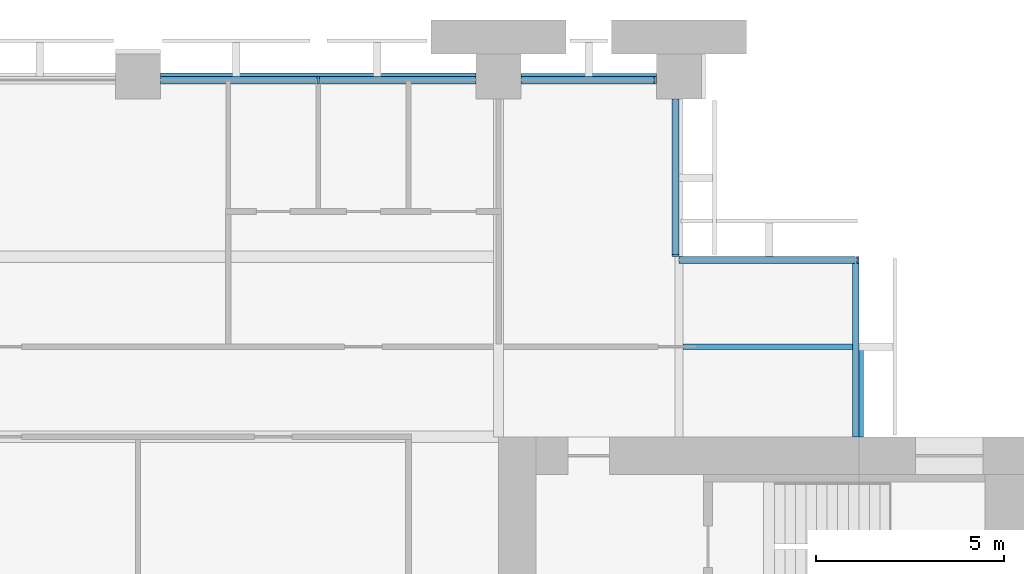
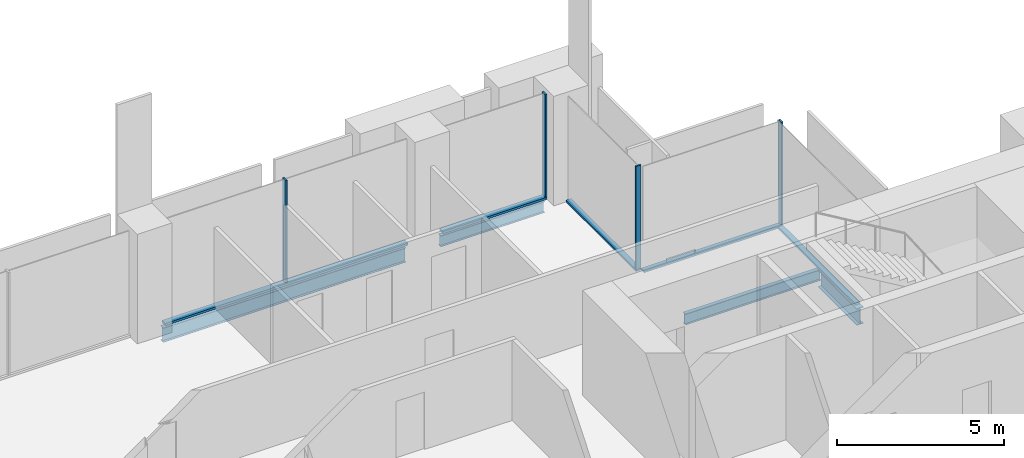
# One storey, part 7 of 14: 9 members, 4 beams, 4 elements without a shape of their own.
"""IFC4 building model written with IfcOpenShell, lengths in metres."""

from ifc_helpers import new_model, si_unit, direction, frame, origin, origin_2d, place, context, subcontext, project, spatial, rectangle, i_section, extrude, material, material_profile, profile_set, type_object, element, aggregate, save


model = new_model("IFC4")

# Units and contexts
model_context = context("Model", 3, precision=1e-05, world=origin(), true_north=direction((0.0, 1.0)))
body_context = subcontext(model_context, "Body", "Model", "MODEL_VIEW")
ifc_project = project(units=[si_unit("LENGTHUNIT", "METRE"), si_unit("AREAUNIT", "SQUARE_METRE"), si_unit("VOLUMEUNIT", "CUBIC_METRE"), si_unit("PLANEANGLEUNIT", "RADIAN"), si_unit("MASSUNIT", "GRAM", prefix="KILO")], contexts=[model_context])

# Site, building, storey
site_placement = place(None, origin())
site = spatial("IfcSite", under=ifc_project, at=site_placement, CompositionType="ELEMENT")
building_placement = place(site_placement, origin())
building = spatial("IfcBuilding", under=site, at=building_placement, Name="Baori Bourse Tower", CompositionType="ELEMENT")
storey_placement = place(building_placement, frame((0.0, 0.0, 168.10009765625)))
storey = spatial("IfcBuildingStorey", under=building, at=storey_placement, Name="L37", CompositionType="ELEMENT", Elevation=168.10009765625)

# Curtain wall, members
ifc_material_1 = material(Name="Pale anodised aluminium", Category="aluminium")
curtain_wall_type_1 = type_object("IfcCurtainWallType", Name="CW1 Curtain wall", PredefinedType="NOTDEFINED", material=ifc_material_1)
curtain_wall_1_placement = place(storey_placement, origin())
curtain_wall_1 = element("IfcCurtainWall", 1, at=curtain_wall_1_placement, inside=storey, type_object=curtain_wall_type_1, Name="Curtain wall CW1 L37 4", PredefinedType="NOTDEFINED")
ifc_material_2 = material(Name="Pale anodised aluminium", Category="aluminium")
ifc_material_profile_1 = material_profile(ifc_material_2, rectangle(XDim=0.199951171875, YDim=0.06005859375, at=origin_2d()), Name="Mullion 60x200")
ifc_profile_set_1 = profile_set([ifc_material_profile_1], Name="Pale anodised aluminium")
member_type_1 = type_object("IfcMemberType", Name="CW1 Curtain wall mullion", PredefinedType="MULLION", material=ifc_profile_set_1)
member_1_placement = place(storey_placement, frame((42.570068359375, 47.89990234375, 0.079833984375), z_axis=(0.0, 0.0, 1.0), x_axis=(0.0, -1.0, 0.0)))
member_1 = element("IfcMember", 2, at=member_1_placement, type_object=member_type_1, Name="Curtain wall CW1 mullion", PredefinedType="MULLION", context=body_context, shape_type="SweptSolid", body=[
    extrude(rectangle(XDim=0.199951171875, YDim=0.06005859375, at=origin_2d()), origin(), (0.0, 0.0, 1.0), 3.760009765625),
])
member_2_placement = place(storey_placement, frame((33.60009765625, 47.89990234375, 0.079833984375), z_axis=(0.0, 0.0, 1.0), x_axis=(0.0, -1.0, 0.0)))
member_2 = element("IfcMember", 3, at=member_2_placement, type_object=member_type_1, Name="Curtain wall CW1 mullion", PredefinedType="MULLION", context=body_context, shape_type="SweptSolid", body=[
    extrude(rectangle(XDim=0.199951171875, YDim=0.06005859375, at=origin_2d()), origin(), (0.0, 0.0, 1.0), 3.760009765625),
])
ifc_material_3 = material(Name="Pale anodised aluminium", Category="aluminium")
ifc_material_profile_2 = material_profile(ifc_material_3, rectangle(XDim=0.199951171875, YDim=0.080078125, at=origin_2d()), Name="Transom 80x200")
ifc_profile_set_2 = profile_set([ifc_material_profile_2], Name="Pale anodised aluminium")
member_type_2 = type_object("IfcMemberType", Name="CW1 Curtain wall transom", PredefinedType="USERDEFINED", material=ifc_profile_set_2)
member_3_placement = place(storey_placement, frame((42.60009765625, 47.89990234375, 0.039794921875), z_axis=(-1.0, 0.0, 0.0), x_axis=(0.0, -1.0, 0.0)))
member_3 = element("IfcMember", 4, at=member_3_placement, type_object=member_type_2, Name="Curtain wall CW1 sill rail", ObjectType="TRANSOM", PredefinedType="USERDEFINED", context=body_context, shape_type="SweptSolid", body=[
    extrude(rectangle(XDim=0.199951171875, YDim=0.080078125, at=origin_2d()), origin(), (0.0, 0.0, 1.0), 3.60009765625),
])
member_4_placement = place(storey_placement, frame((37.800048828125, 47.89990234375, 0.039794921875), z_axis=(-1.0, 0.0, 0.0), x_axis=(0.0, -1.0, 0.0)))
member_4 = element("IfcMember", 5, at=member_4_placement, type_object=member_type_2, Name="Curtain wall CW1 sill rail", ObjectType="TRANSOM", PredefinedType="USERDEFINED", context=body_context, shape_type="SweptSolid", body=[
    extrude(rectangle(XDim=0.199951171875, YDim=0.080078125, at=origin_2d()), origin(), (0.0, 0.0, 1.0), 8.400146484375),
])
aggregate(curtain_wall_1, [member_3, member_1, member_4, member_2])

# Curtain wall, member
ifc_material_4 = material(Name="Pale anodised aluminium", Category="aluminium")
curtain_wall_type_2 = type_object("IfcCurtainWallType", Name="CW2 Curtain wall", PredefinedType="NOTDEFINED", material=ifc_material_4)
curtain_wall_2_placement = place(storey_placement, origin())
curtain_wall_2 = element("IfcCurtainWall", 6, at=curtain_wall_2_placement, inside=storey, type_object=curtain_wall_type_2, Name="Curtain wall CW2 L37 2", PredefinedType="NOTDEFINED")
ifc_material_5 = material(Name="Pale anodised aluminium", Category="aluminium")
ifc_material_profile_3 = material_profile(ifc_material_5, rectangle(XDim=0.179931640625, YDim=0.054931640625, at=origin_2d()), Name="Mullion 55x180")
ifc_profile_set_3 = profile_set([ifc_material_profile_3], Name="Pale anodised aluminium")
member_type_3 = type_object("IfcMemberType", Name="CW2 Curtain wall mullion", PredefinedType="MULLION", material=ifc_profile_set_3)
member_5_placement = place(storey_placement, frame((47.972412109375, 43.110107421875, 0.06982421875), z_axis=(0.0, 0.0, 1.0), x_axis=(0.0, -1.0, 0.0)))
member_5 = element("IfcMember", 7, at=member_5_placement, type_object=member_type_3, Name="Curtain wall CW2 mullion", PredefinedType="MULLION", context=body_context, shape_type="SweptSolid", body=[
    extrude(rectangle(XDim=0.179931640625, YDim=0.054931640625, at=origin_2d()), origin(), (0.0, 0.0, 1.0), 3.77001953125),
])

curtain_wall_3_placement = place(storey_placement, origin())
curtain_wall_3 = element("IfcCurtainWall", 8, at=curtain_wall_3_placement, inside=storey, type_object=curtain_wall_type_2, Name="Curtain wall CW2 L37 3", PredefinedType="NOTDEFINED")
member_6_placement = place(storey_placement, frame((43.110107421875, 43.2275390625, 0.06982421875), z_axis=(0.0, 0.0, 1.0), x_axis=(-1.0, 0.0, 0.0)))
member_6 = element("IfcMember", 9, at=member_6_placement, type_object=member_type_3, Name="Curtain wall CW2 mullion", PredefinedType="MULLION", context=body_context, shape_type="SweptSolid", body=[
    extrude(rectangle(XDim=0.179931640625, YDim=0.054931640625, at=origin_2d()), origin(), (0.0, 0.0, 1.0), 3.77001953125),
])

curtain_wall_4_placement = place(storey_placement, origin())
curtain_wall_4 = element("IfcCurtainWall", 10, at=curtain_wall_4_placement, inside=storey, type_object=curtain_wall_type_2, Name="Curtain wall CW2 L37 1", PredefinedType="NOTDEFINED")
ifc_material_6 = material(Name="Pale anodised aluminium", Category="aluminium")
ifc_material_profile_4 = material_profile(ifc_material_6, rectangle(XDim=0.179931640625, YDim=0.070068359375, at=origin_2d()), Name="Transom 70x180")
ifc_profile_set_4 = profile_set([ifc_material_profile_4], Name="Pale anodised aluminium")
member_type_4 = type_object("IfcMemberType", Name="CW2 Curtain wall transom", PredefinedType="USERDEFINED", material=ifc_profile_set_4)
member_7_placement = place(storey_placement, frame((47.909912109375, 38.39990234375, 0.034912109375), z_axis=(0.0, 1.0, 0.0), x_axis=(-1.0, 0.0, 0.0)))
member_7 = element("IfcMember", 11, at=member_7_placement, type_object=member_type_4, Name="Curtain wall CW2 sill rail", ObjectType="TRANSOM", PredefinedType="USERDEFINED", context=body_context, shape_type="SweptSolid", body=[
    extrude(rectangle(XDim=0.179931640625, YDim=0.070068359375, at=origin_2d()), origin(), (0.0, 0.0, 1.0), 4.800048828125),
])
aggregate(curtain_wall_4, [member_7])

# Member
member_8_placement = place(storey_placement, frame((48.0, 43.110107421875, 0.034912109375), z_axis=(-1.0, 0.0, 0.0), x_axis=(0.0, -1.0, 0.0)))
member_8 = element("IfcMember", 12, at=member_8_placement, type_object=member_type_4, Name="Curtain wall CW2 sill rail", ObjectType="TRANSOM", PredefinedType="USERDEFINED", context=body_context, shape_type="SweptSolid", body=[
    extrude(rectangle(XDim=0.179931640625, YDim=0.070068359375, at=origin_2d()), origin(), (0.0, 0.0, 1.0), 4.800048828125),
])

aggregate(curtain_wall_2, [member_8, member_5])

member_9_placement = place(storey_placement, frame((43.110107421875, 43.199951171875, 0.034912109375), z_axis=(0.0, 1.0, 0.0), x_axis=(-1.0, 0.0, 0.0)))
member_9 = element("IfcMember", 13, at=member_9_placement, type_object=member_type_4, Name="Curtain wall CW2 sill rail", ObjectType="TRANSOM", PredefinedType="USERDEFINED", context=body_context, shape_type="SweptSolid", body=[
    extrude(rectangle(XDim=0.179931640625, YDim=0.070068359375, at=origin_2d()), origin(), (0.0, 0.0, 1.0), 4.199951171875),
])

aggregate(curtain_wall_3, [member_9, member_6])

# Beams
ifc_material_7 = material(Name="Steel A992 Gr 50", Category="steel")
ifc_material_profile_5 = material_profile(ifc_material_7, i_section(OverallWidth=0.227783203125, OverallDepth=0.60205078125, WebThickness=0.010498046875, FlangeThickness=0.014892578125, at=origin_2d()), Name="W24x68")
ifc_profile_set_5 = profile_set([ifc_material_profile_5], Name="Steel A992 Gr 50")
beam_type_1 = type_object("IfcBeamType", Name="Core bracket W24x68", PredefinedType="BEAM", material=ifc_profile_set_5)
beam_1_placement = place(storey_placement, frame((48.0, 38.39990234375, -0.461181640625), z_axis=(0.0, 1.0, 0.0), x_axis=(-1.0, 0.0, 0.0)))
element("IfcBeam", 14, at=beam_1_placement, inside=storey, type_object=beam_type_1, Name="Core bracket L37", PredefinedType="BEAM", context=body_context, shape_type="SweptSolid", body=[
    extrude(i_section(OverallWidth=0.227783203125, OverallDepth=0.60205078125, WebThickness=0.010498046875, FlangeThickness=0.014892578125, at=origin_2d()), origin(), (0.0, 0.0, 1.0), 2.329833984375),
])
ifc_material_8 = material(Name="Steel A992 Gr 50", Category="steel")
ifc_material_profile_6 = material_profile(ifc_material_8, i_section(OverallWidth=0.140380859375, OverallDepth=0.40380859375, WebThickness=0.007080078125, FlangeThickness=0.01123046875, at=origin_2d()), Name="W16x31")
ifc_profile_set_6 = profile_set([ifc_material_profile_6], Name="Steel A992 Gr 50")
beam_type_2 = type_object("IfcBeamType", Name="Edge beam W16x31", PredefinedType="BEAM", material=ifc_profile_set_6)
beam_2_placement = place(storey_placement, frame((39.0, 48.0, -0.362060546875), z_axis=(1.0, 0.0, 0.0), x_axis=(0.0, 1.0, 0.0)))
element("IfcBeam", 15, at=beam_2_placement, inside=storey, type_object=beam_type_2, Name="Edge beam L37", PredefinedType="BEAM", context=body_context, shape_type="SweptSolid", body=[
    extrude(i_section(OverallWidth=0.140380859375, OverallDepth=0.40380859375, WebThickness=0.007080078125, FlangeThickness=0.01123046875, at=origin_2d()), origin(), (0.0, 0.0, 1.0), 3.60009765625),
])
ifc_material_9 = material(Name="Steel A992 Gr 50", Category="steel")
ifc_material_profile_7 = material_profile(ifc_material_9, i_section(OverallWidth=0.1650390625, OverallDepth=0.52587890625, WebThickness=0.0087890625, FlangeThickness=0.011474609375, at=origin_2d()), Name="W21x44")
ifc_profile_set_7 = profile_set([ifc_material_profile_7], Name="Steel A992 Gr 50")
beam_type_3 = type_object("IfcBeamType", Name="Edge beam W21x44", PredefinedType="BEAM", material=ifc_profile_set_7)
beam_3_placement = place(storey_placement, frame((29.39990234375, 48.0, -0.423095703125), z_axis=(1.0, 0.0, 0.0), x_axis=(0.0, 1.0, 0.0)))
element("IfcBeam", 16, at=beam_3_placement, inside=storey, type_object=beam_type_3, Name="Edge beam L37", PredefinedType="BEAM", context=body_context, shape_type="SweptSolid", body=[
    extrude(i_section(OverallWidth=0.1650390625, OverallDepth=0.52587890625, WebThickness=0.0087890625, FlangeThickness=0.011474609375, at=origin_2d()), origin(), (0.0, 0.0, 1.0), 8.400146484375),
])
ifc_material_10 = material(Name="Steel A992 Gr 50", Category="steel")
ifc_material_profile_8 = material_profile(ifc_material_10, i_section(OverallWidth=0.140380859375, OverallDepth=0.40380859375, WebThickness=0.007080078125, FlangeThickness=0.01123046875, at=origin_2d()), Name="W16x31")
ifc_profile_set_8 = profile_set([ifc_material_profile_8], Name="Steel A992 Gr 50")
beam_type_4 = type_object("IfcBeamType", Name="Trimmer beam W16x31", PredefinedType="BEAM", material=ifc_profile_set_8)
beam_4_placement = place(storey_placement, frame((43.3046875, 40.800048828125, -0.362060546875), z_axis=(1.0, 0.0, 0.0), x_axis=(0.0, 1.0, 0.0)))
element("IfcBeam", 17, at=beam_4_placement, inside=storey, type_object=beam_type_4, Name="Trimmer beam L37", PredefinedType="BEAM", context=body_context, shape_type="SweptSolid", body=[
    extrude(i_section(OverallWidth=0.140380859375, OverallDepth=0.40380859375, WebThickness=0.007080078125, FlangeThickness=0.01123046875, at=origin_2d()), origin(), (0.0, 0.0, 1.0), 4.6953125),
])

save(model, "model.ifc")
